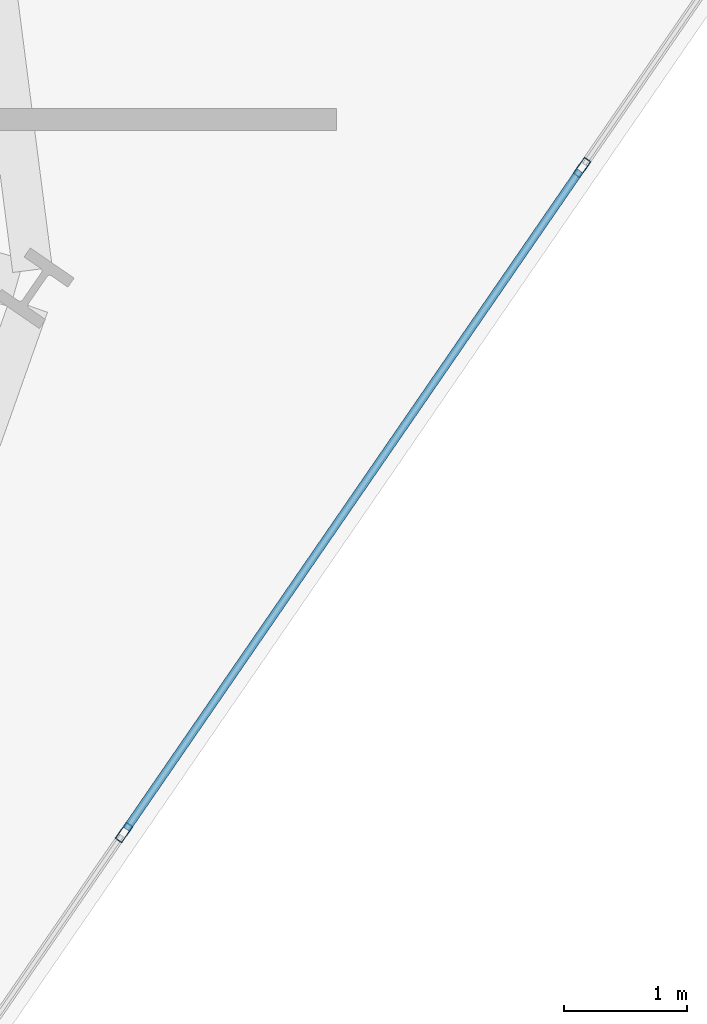
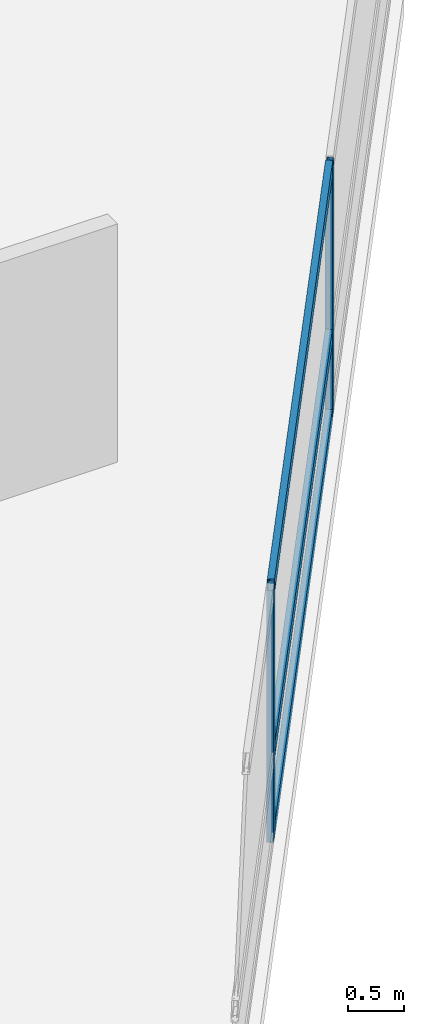
# One storey, part 9 of 24: 5 members, 1 element without a shape of its own.
"""IFC4 building model written with IfcOpenShell, lengths in metres."""

from ifc_helpers import new_model, si_unit, direction, frame, origin, origin_2d, place, context, subcontext, project, spatial, hollow_rectangle, extrude, material, layer, layer_set, material_profile, profile_set, type_object, element, aggregate, save


model = new_model("IFC4")

# Units and contexts
model_context = context("Model", 3, precision=1e-05, world=origin(), true_north=direction((0.0, 1.0)))
body_context = subcontext(model_context, "Body", "Model", "MODEL_VIEW")
ifc_project = project(units=[si_unit("LENGTHUNIT", "METRE"), si_unit("AREAUNIT", "SQUARE_METRE"), si_unit("VOLUMEUNIT", "CUBIC_METRE"), si_unit("PLANEANGLEUNIT", "RADIAN"), si_unit("MASSUNIT", "GRAM", prefix="KILO")], contexts=[model_context])

# Site, building, storey
site_placement = place(None, origin())
site = spatial("IfcSite", under=ifc_project, at=site_placement, CompositionType="ELEMENT")
building_placement = place(site_placement, origin())
building = spatial("IfcBuilding", under=site, at=building_placement, Name="Varnelok Gate Tower", CompositionType="ELEMENT")
storey_placement = place(building_placement, frame((0.0, 0.0, 41.800048828125)))
storey = spatial("IfcBuildingStorey", under=building, at=storey_placement, Name="L09", CompositionType="ELEMENT", Elevation=41.800048828125)

# Curtain wall, members
ifc_material = material(Name="Anodized Aluminum Alloy 6063-T6", Category="aluminium")
ifc_layer = layer(ifc_material, 0.179931640625)
ifc_layer_set = layer_set([ifc_layer], Name="Anodized Aluminum Alloy 6063-T6")
curtain_wall_type = type_object("IfcCurtainWallType", Name="CW3-HOTEL-VISION", PredefinedType="USERDEFINED", material=ifc_layer_set)
curtain_wall_placement = place(storey_placement, origin())
curtain_wall = element("IfcCurtainWall", 1, at=curtain_wall_placement, inside=storey, type_object=curtain_wall_type, Name="L09 East End Vision Curtain Wall", ObjectType="UNITISED CURTAIN WALL", PredefinedType="USERDEFINED")
ifc_material_profile_1 = material_profile(ifc_material, hollow_rectangle(XDim=0.06494140625, YDim=0.159912109375, WallThickness=0.00390625, at=origin_2d()), Name="ALU160X65X4")
ifc_profile_set_1 = profile_set([ifc_material_profile_1], Name="Anodized Aluminum Alloy 6063-T6")
member_type_1 = type_object("IfcMemberType", Name="CW-MULL-160", PredefinedType="MULLION", material=ifc_profile_set_1)
member_1_placement = place(storey_placement, frame((78.8173828125, 13.958251953125, 0.0), z_axis=(0.0, 0.0, 1.0), x_axis=(0.823532685111, -0.567268822124, 0.0)))
member_1 = element("IfcMember", 2, at=member_1_placement, type_object=member_type_1, Name="CW3 mullion 2", PredefinedType="MULLION", context=body_context, shape_type="SweptSolid", body=[
    extrude(hollow_rectangle(XDim=0.06494140625, YDim=0.159912109375, WallThickness=0.00390625, at=origin_2d()), origin(), (0.0, 0.0, 1.0), 2.72998046875),
])
member_2_placement = place(storey_placement, frame((75.09228515625, 8.55029296875, 0.0), z_axis=(0.0, 0.0, 1.0), x_axis=(0.823532685111, -0.567268822124, 0.0)))
member_2 = element("IfcMember", 3, at=member_2_placement, type_object=member_type_1, Name="CW3 mullion 3", PredefinedType="MULLION", context=body_context, shape_type="SweptSolid", body=[
    extrude(hollow_rectangle(XDim=0.06494140625, YDim=0.159912109375, WallThickness=0.00390625, at=origin_2d()), origin(), (0.0, 0.0, 1.0), 2.72998046875),
])
ifc_material_profile_2 = material_profile(ifc_material, hollow_rectangle(XDim=0.06494140625, YDim=0.159912109375, WallThickness=0.00390625, at=origin_2d()), Name="ALU160X65X4")
ifc_profile_set_2 = profile_set([ifc_material_profile_2], Name="Anodized Aluminum Alloy 6063-T6")
member_type_2 = type_object("IfcMemberType", Name="CW-TRAN-160", PredefinedType="USERDEFINED", material=ifc_profile_set_2)
member_3_placement = place(storey_placement, frame((78.798828125, 13.931396484375, 0.032470703125), z_axis=(-0.567279204469, -0.823525533409, 0.0), x_axis=(0.823525533409, -0.567279204469, 0.0)))
member_3 = element("IfcMember", 4, at=member_3_placement, type_object=member_type_2, Name="CW3 transom 2.1", ObjectType="TRANSOM", PredefinedType="USERDEFINED", context=body_context, shape_type="SweptSolid", body=[
    extrude(hollow_rectangle(XDim=0.06494140625, YDim=0.159912109375, WallThickness=0.00390625, at=origin_2d()), origin(), (0.0, 0.0, 1.0), 6.501708984375),
])
member_4_placement = place(storey_placement, frame((78.798828125, 13.931396484375, 0.89990234375), z_axis=(-0.567279204469, -0.823525533409, 0.0), x_axis=(0.823525533409, -0.567279204469, 0.0)))
member_4 = element("IfcMember", 5, at=member_4_placement, type_object=member_type_2, Name="CW3 transom 2.2", ObjectType="TRANSOM", PredefinedType="USERDEFINED", context=body_context, shape_type="SweptSolid", body=[
    extrude(hollow_rectangle(XDim=0.06494140625, YDim=0.159912109375, WallThickness=0.00390625, at=origin_2d()), origin(), (0.0, 0.0, 1.0), 6.501708984375),
])
member_5_placement = place(storey_placement, frame((78.798828125, 13.931396484375, 2.697509765625), z_axis=(-0.567279204469, -0.823525533409, 0.0), x_axis=(0.823525533409, -0.567279204469, 0.0)))
member_5 = element("IfcMember", 6, at=member_5_placement, type_object=member_type_2, Name="CW3 transom 2.3", ObjectType="TRANSOM", PredefinedType="USERDEFINED", context=body_context, shape_type="SweptSolid", body=[
    extrude(hollow_rectangle(XDim=0.06494140625, YDim=0.159912109375, WallThickness=0.00390625, at=origin_2d()), origin(), (0.0, 0.0, 1.0), 6.501708984375),
])
aggregate(curtain_wall, [member_1, member_2, member_3, member_4, member_5])

save(model, "model.ifc")
